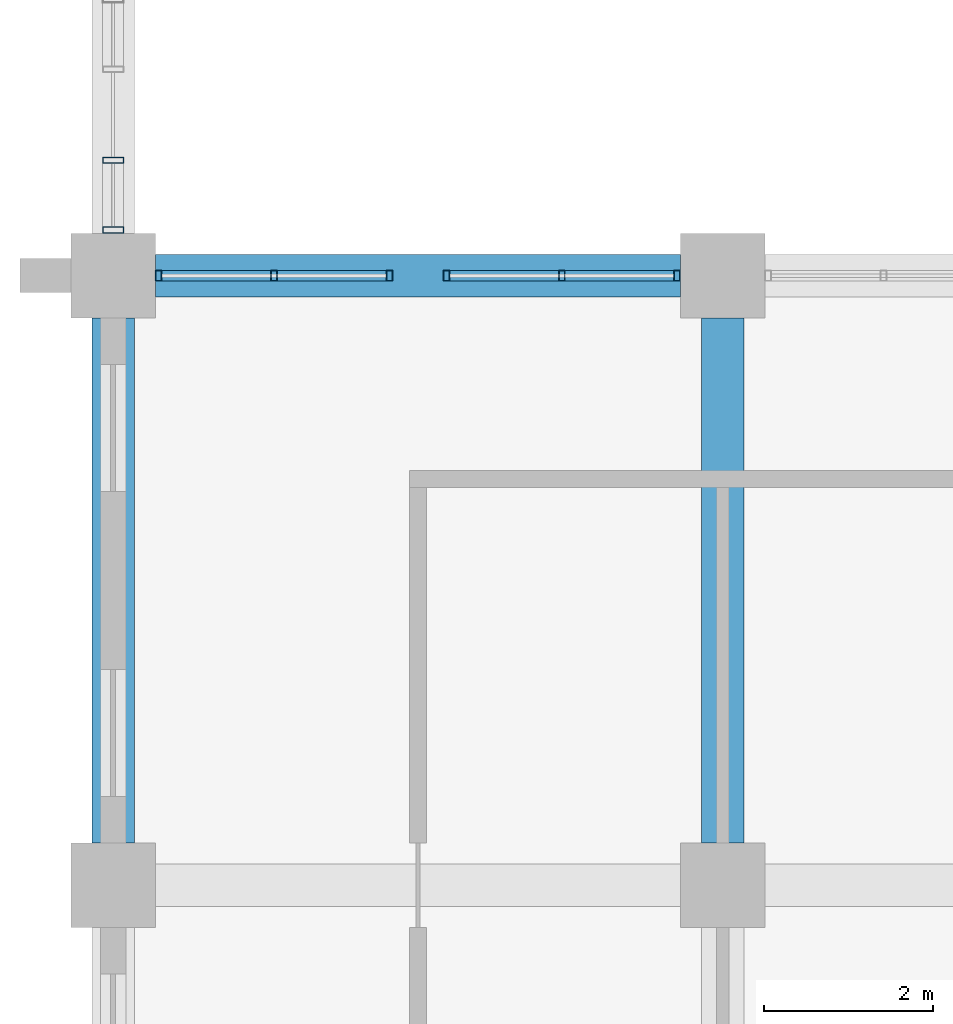
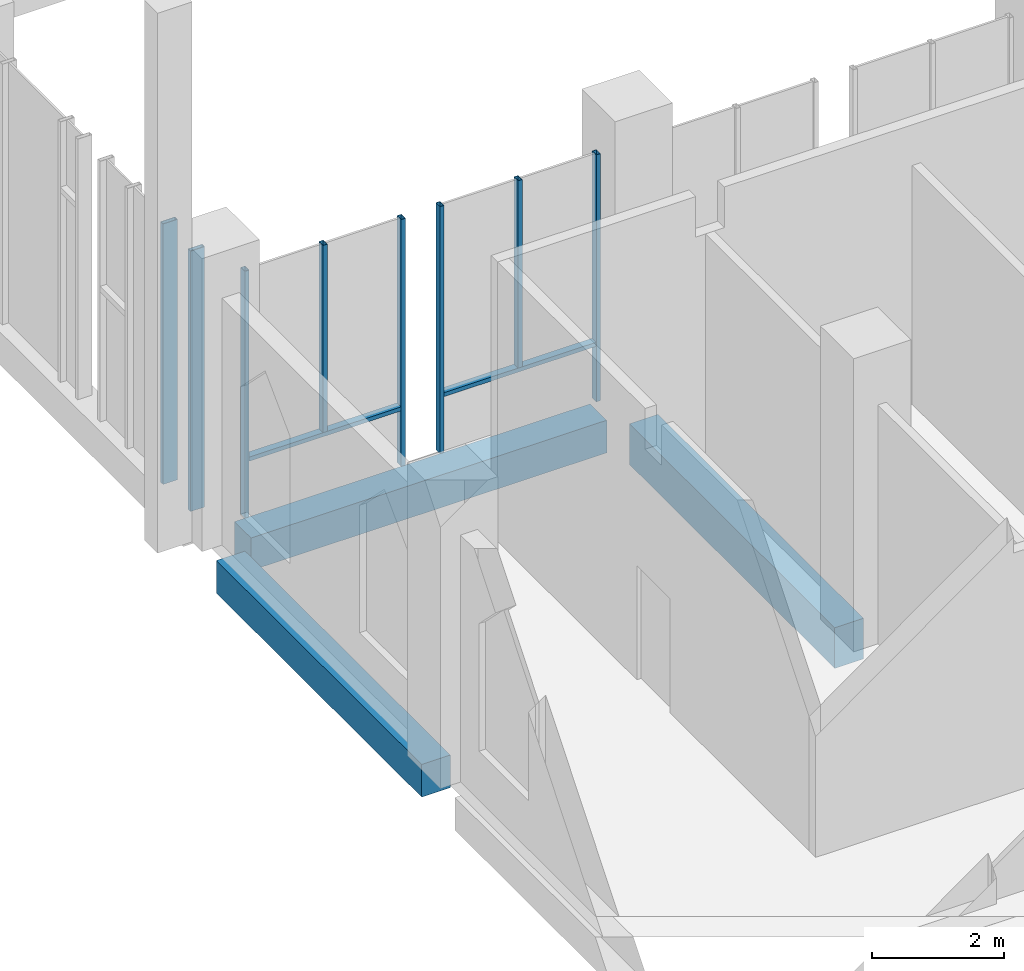
# One storey, part 4 of 83: 10 members, 3 beams, 3 elements without a shape of their own.
"""IFC4 building model written with IfcOpenShell, lengths in metres."""

from ifc_helpers import new_model, si_unit, direction, frame, origin, origin_2d, place, context, subcontext, project, spatial, rectangle, hollow_rectangle, extrude, material, material_profile, profile_set, type_object, element, aggregate, save


model = new_model("IFC4")

# Units and contexts
model_context = context("Model", 3, precision=1e-05, world=origin(), true_north=direction((0.0, 1.0)))
body_context = subcontext(model_context, "Body", "Model", "MODEL_VIEW")
ifc_project = project(units=[si_unit("LENGTHUNIT", "METRE"), si_unit("AREAUNIT", "SQUARE_METRE"), si_unit("VOLUMEUNIT", "CUBIC_METRE"), si_unit("PLANEANGLEUNIT", "RADIAN"), si_unit("MASSUNIT", "GRAM", prefix="KILO")], contexts=[model_context])

# Site, building, storey
site_placement = place(None, origin())
site = spatial("IfcSite", under=ifc_project, at=site_placement, CompositionType="ELEMENT")
building_placement = place(site_placement, origin())
building = spatial("IfcBuilding", under=site, at=building_placement, Name="Silangan Lancet Faculty of Sciences", CompositionType="ELEMENT")
storey_placement = place(building_placement, frame((0.0, 0.0, 11.39990234375)))
storey = spatial("IfcBuildingStorey", under=building, at=storey_placement, Name="L02", CompositionType="ELEMENT", Elevation=11.39990234375)

# Beams
ifc_material_1 = material(Name="Concrete C40/50", Category="concrete")
ifc_material_profile_1 = material_profile(ifc_material_1, rectangle(XDim=0.5, YDim=0.60009765625, at=origin_2d()), Name="RC 500x600")
ifc_profile_set_1 = profile_set([ifc_material_profile_1], Name="Concrete C40/50")
beam_type_1 = type_object("IfcBeamType", Name="BEAM RC 500x600", PredefinedType="BEAM", material=ifc_profile_set_1)
beam_1_placement = place(storey_placement, frame((0.5, 21.60009765625, -0.5498046875), z_axis=(1.0, 0.0, 0.0), x_axis=(0.0, 1.0, 0.0)))
element("IfcBeam", 1, at=beam_1_placement, inside=storey, type_object=beam_type_1, Name="BM-L02-1D-2D", PredefinedType="BEAM", context=body_context, shape_type="SweptSolid", body=[
    extrude(rectangle(XDim=0.5, YDim=0.60009765625, at=origin_2d()), origin(), (0.0, 0.0, 1.0), 6.199951171875),
])
beam_2_placement = place(storey_placement, frame((0.0, 14.89990234375, -0.5498046875), z_axis=(0.0, 1.0, 0.0), x_axis=(-1.0, 0.0, 0.0)))
element("IfcBeam", 2, at=beam_2_placement, inside=storey, type_object=beam_type_1, Name="BM-L02-1C-1D", PredefinedType="BEAM", context=body_context, shape_type="SweptSolid", body=[
    extrude(rectangle(XDim=0.5, YDim=0.60009765625, at=origin_2d()), origin(), (0.0, 0.0, 1.0), 6.2001953125),
])
ifc_material_2 = material(Name="Concrete C40/50", Category="concrete")
ifc_material_profile_2 = material_profile(ifc_material_2, rectangle(XDim=0.5, YDim=0.75, at=origin_2d()), Name="RC 500x750")
ifc_profile_set_2 = profile_set([ifc_material_profile_2], Name="Concrete C40/50")
beam_type_2 = type_object("IfcBeamType", Name="BEAM RC 500x750", PredefinedType="BEAM", material=ifc_profile_set_2)
beam_3_placement = place(storey_placement, frame((7.199951171875, 14.89990234375, -0.625), z_axis=(0.0, 1.0, 0.0), x_axis=(-1.0, 0.0, 0.0)))
element("IfcBeam", 3, at=beam_3_placement, inside=storey, type_object=beam_type_2, Name="BM-L02-2C-2D", PredefinedType="BEAM", context=body_context, shape_type="SweptSolid", body=[
    extrude(rectangle(XDim=0.5, YDim=0.75, at=origin_2d()), origin(), (0.0, 0.0, 1.0), 6.2001953125),
])

# Curtain wall, members
ifc_material_3 = material(Name="Aluminium framed curtain wall with insulated glass", Category="aluminium")
curtain_wall_type_1 = type_object("IfcCurtainWallType", Name="CW2 Atrium fire-resisting screen", PredefinedType="NOTDEFINED", material=ifc_material_3)
curtain_wall_1_placement = place(storey_placement, origin())
curtain_wall_1 = element("IfcCurtainWall", 4, at=curtain_wall_1_placement, inside=storey, type_object=curtain_wall_type_1, Name="CW2 Atrium south L02 bay 5", PredefinedType="NOTDEFINED")
ifc_material_4 = material(Name="Steel S355J2H", Category="steel")
ifc_material_profile_3 = material_profile(ifc_material_4, hollow_rectangle(XDim=0.074951171875, YDim=0.125, WallThickness=0.0048828125, at=origin_2d()), Name="ST BOX 75x125x5")
ifc_profile_set_3 = profile_set([ifc_material_profile_3], Name="Steel S355J2H")
member_type_1 = type_object("IfcMemberType", Name="CM2 Mullion 75x125", PredefinedType="MULLION", material=ifc_profile_set_3)
member_1_placement = place(storey_placement, frame((6.66259765625, 21.60009765625, 0.0), z_axis=(0.0, 0.0, 1.0), x_axis=(-1.0, 0.0, 0.0)))
member_1 = element("IfcMember", 5, at=member_1_placement, type_object=member_type_1, Name="CW2 Atrium south L02 bay 5 mullion 1", PredefinedType="MULLION", context=body_context, shape_type="SweptSolid", body=[
    extrude(hollow_rectangle(XDim=0.074951171875, YDim=0.125, WallThickness=0.0048828125, at=origin_2d()), origin(), (0.0, 0.0, 1.0), 4.550048828125),
])
member_2_placement = place(storey_placement, frame((3.9375, 21.60009765625, 0.0), z_axis=(0.0, 0.0, 1.0), x_axis=(-1.0, 0.0, 0.0)))
member_2 = element("IfcMember", 6, at=member_2_placement, type_object=member_type_1, Name="CW2 Atrium south L02 bay 5 mullion 2", PredefinedType="MULLION", context=body_context, shape_type="SweptSolid", body=[
    extrude(hollow_rectangle(XDim=0.074951171875, YDim=0.125, WallThickness=0.0048828125, at=origin_2d()), origin(), (0.0, 0.0, 1.0), 4.550048828125),
])
member_3_placement = place(storey_placement, frame((5.300048828125, 21.60009765625, 1.10009765625), z_axis=(0.0, 0.0, 1.0), x_axis=(-1.0, 0.0, 0.0)))
member_3 = element("IfcMember", 7, at=member_3_placement, type_object=member_type_1, Name="CW2 Atrium south L02 bay 5 mullion 3", PredefinedType="MULLION", context=body_context, shape_type="SweptSolid", body=[
    extrude(hollow_rectangle(XDim=0.074951171875, YDim=0.125, WallThickness=0.0048828125, at=origin_2d()), origin(), (0.0, 0.0, 1.0), 3.449951171875),
])

curtain_wall_2_placement = place(storey_placement, origin())
curtain_wall_2 = element("IfcCurtainWall", 8, at=curtain_wall_2_placement, inside=storey, type_object=curtain_wall_type_1, Name="CW2 Atrium south L02 bay 6", PredefinedType="NOTDEFINED")
member_4_placement = place(storey_placement, frame((3.2626953125, 21.60009765625, 0.0), z_axis=(0.0, 0.0, 1.0), x_axis=(-1.0, 0.0, 0.0)))
member_4 = element("IfcMember", 9, at=member_4_placement, type_object=member_type_1, Name="CW2 Atrium south L02 bay 6 mullion 1", PredefinedType="MULLION", context=body_context, shape_type="SweptSolid", body=[
    extrude(hollow_rectangle(XDim=0.074951171875, YDim=0.125, WallThickness=0.0048828125, at=origin_2d()), origin(), (0.0, 0.0, 1.0), 4.550048828125),
])
member_5_placement = place(storey_placement, frame((0.53759765625, 21.60009765625, 0.0), z_axis=(0.0, 0.0, 1.0), x_axis=(-1.0, 0.0, 0.0)))
member_5 = element("IfcMember", 10, at=member_5_placement, type_object=member_type_1, Name="CW2 Atrium south L02 bay 6 mullion 2", PredefinedType="MULLION", context=body_context, shape_type="SweptSolid", body=[
    extrude(hollow_rectangle(XDim=0.074951171875, YDim=0.125, WallThickness=0.0048828125, at=origin_2d()), origin(), (0.0, 0.0, 1.0), 4.550048828125),
])
member_6_placement = place(storey_placement, frame((1.900146484375, 21.60009765625, 1.10009765625), z_axis=(0.0, 0.0, 1.0), x_axis=(-1.0, 0.0, 0.0)))
member_6 = element("IfcMember", 11, at=member_6_placement, type_object=member_type_1, Name="CW2 Atrium south L02 bay 6 mullion 3", PredefinedType="MULLION", context=body_context, shape_type="SweptSolid", body=[
    extrude(hollow_rectangle(XDim=0.074951171875, YDim=0.125, WallThickness=0.0048828125, at=origin_2d()), origin(), (0.0, 0.0, 1.0), 3.449951171875),
])

ifc_material_5 = material(Name="Aluminium framed curtain wall with insulated glass", Category="aluminium")
curtain_wall_type_2 = type_object("IfcCurtainWallType", Name="CW3 West stepped lancet window", PredefinedType="NOTDEFINED", material=ifc_material_5)
curtain_wall_3_placement = place(storey_placement, origin())
curtain_wall_3 = element("IfcCurtainWall", 12, at=curtain_wall_3_placement, inside=storey, type_object=curtain_wall_type_2, Name="CW3 West window L02 bay 1", PredefinedType="NOTDEFINED")
ifc_material_6 = material(Name="Aluminium 6063-T6 extrusion", Category="aluminium")
ifc_material_profile_4 = material_profile(ifc_material_6, hollow_rectangle(XDim=0.074951171875, YDim=0.25, WallThickness=0.006103515625, at=origin_2d()), Name="AL BOX 75x250x6")
ifc_profile_set_4 = profile_set([ifc_material_profile_4], Name="Aluminium 6063-T6 extrusion")
member_type_2 = type_object("IfcMemberType", Name="CM3 Mullion 75x250", PredefinedType="MULLION", material=ifc_profile_set_4)
member_7_placement = place(storey_placement, frame((0.0, 22.137451171875, 0.0), z_axis=(0.0, 0.0, 1.0), x_axis=(0.0, 1.0, 0.0)))
member_7 = element("IfcMember", 13, at=member_7_placement, type_object=member_type_2, Name="CW3 West window L02 bay 1 mullion 1", PredefinedType="MULLION", context=body_context, shape_type="SweptSolid", body=[
    extrude(hollow_rectangle(XDim=0.074951171875, YDim=0.25, WallThickness=0.006103515625, at=origin_2d()), origin(), (0.0, 0.0, 1.0), 4.800048828125),
])
member_8_placement = place(storey_placement, frame((0.0, 22.96240234375, 0.0), z_axis=(0.0, 0.0, 1.0), x_axis=(0.0, 1.0, 0.0)))
member_8 = element("IfcMember", 14, at=member_8_placement, type_object=member_type_2, Name="CW3 West window L02 bay 1 mullion 3", PredefinedType="MULLION", context=body_context, shape_type="SweptSolid", body=[
    extrude(hollow_rectangle(XDim=0.074951171875, YDim=0.25, WallThickness=0.006103515625, at=origin_2d()), origin(), (0.0, 0.0, 1.0), 4.800048828125),
])
aggregate(curtain_wall_3, [member_7, member_8])

# Member
ifc_material_7 = material(Name="Steel S355J2H", Category="steel")
ifc_material_profile_5 = material_profile(ifc_material_7, hollow_rectangle(XDim=0.125, YDim=0.074951171875, WallThickness=0.0048828125, at=origin_2d()), Name="ST BOX 125x75x5")
ifc_profile_set_5 = profile_set([ifc_material_profile_5], Name="Steel S355J2H")
member_type_3 = type_object("IfcMemberType", Name="CT2 Transom 125x75", PredefinedType="USERDEFINED", material=ifc_profile_set_5)
member_9_placement = place(storey_placement, frame((6.625, 21.60009765625, 1.0625), z_axis=(-1.0, 0.0, 0.0), x_axis=(0.0, -1.0, 0.0)))
member_9 = element("IfcMember", 15, at=member_9_placement, type_object=member_type_3, Name="CW2 Atrium south L02 bay 5 transom 1", ObjectType="TRANSOM", PredefinedType="USERDEFINED", context=body_context, shape_type="SweptSolid", body=[
    extrude(hollow_rectangle(XDim=0.125, YDim=0.074951171875, WallThickness=0.0048828125, at=origin_2d()), origin(), (0.0, 0.0, 1.0), 2.64990234375),
])

aggregate(curtain_wall_1, [member_1, member_2, member_3, member_9])

member_10_placement = place(storey_placement, frame((3.22509765625, 21.60009765625, 1.0625), z_axis=(-1.0, 0.0, 0.0), x_axis=(0.0, -1.0, 0.0)))
member_10 = element("IfcMember", 16, at=member_10_placement, type_object=member_type_3, Name="CW2 Atrium south L02 bay 6 transom 1", ObjectType="TRANSOM", PredefinedType="USERDEFINED", context=body_context, shape_type="SweptSolid", body=[
    extrude(hollow_rectangle(XDim=0.125, YDim=0.074951171875, WallThickness=0.0048828125, at=origin_2d()), origin(), (0.0, 0.0, 1.0), 2.650146484375),
])

aggregate(curtain_wall_2, [member_4, member_5, member_6, member_10])

save(model, "model.ifc")
